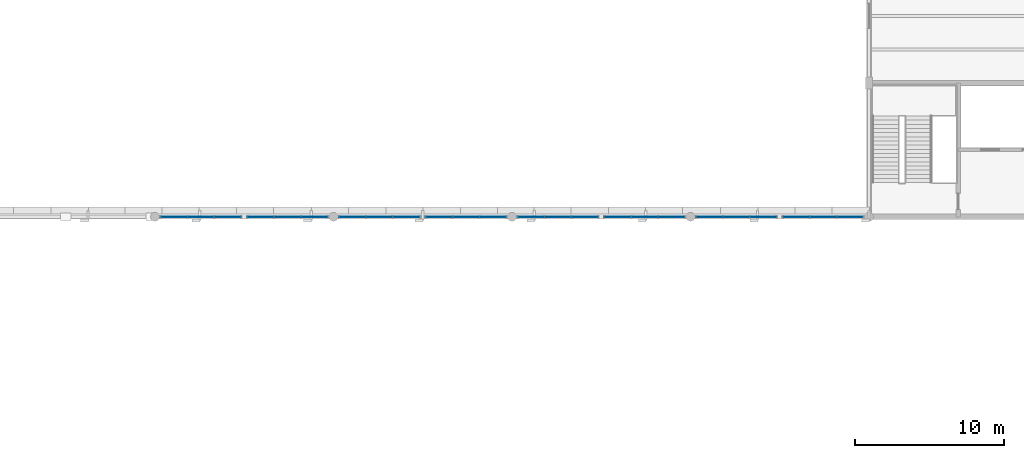
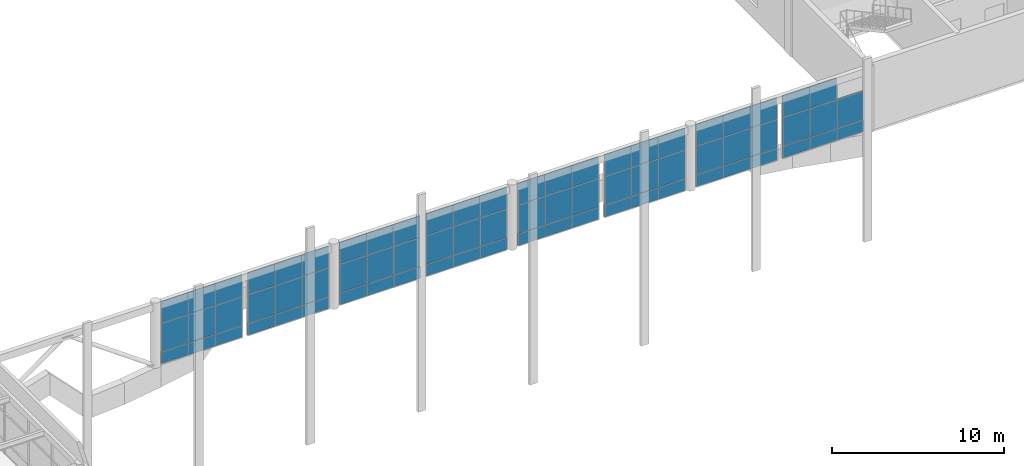
# One storey, part 37 of 63: 71 plates, 8 elements without a shape of their own.
"""IFC4 building model written with IfcOpenShell, lengths in metres."""

from ifc_helpers import new_model, si_unit, direction, frame, origin, origin_2d, place, context, subcontext, project, spatial, rectangle, extrude, material, layer, layer_set, type_object, element, aggregate, save


model = new_model("IFC4")

# Units and contexts
model_context = context("Model", 3, precision=1e-05, world=origin(), true_north=direction((0.0, 1.0)))
body_context = subcontext(model_context, "Body", "Model", "MODEL_VIEW")
ifc_project = project(units=[si_unit("LENGTHUNIT", "METRE"), si_unit("AREAUNIT", "SQUARE_METRE"), si_unit("VOLUMEUNIT", "CUBIC_METRE"), si_unit("PLANEANGLEUNIT", "RADIAN"), si_unit("MASSUNIT", "GRAM", prefix="KILO")], contexts=[model_context])

# Site, building, storey
site_placement = place(None, origin())
site = spatial("IfcSite", under=ifc_project, at=site_placement, CompositionType="ELEMENT")
building_placement = place(site_placement, origin())
building = spatial("IfcBuilding", under=site, at=building_placement, Name="Keelwater Ferry Terminal", CompositionType="ELEMENT")
storey_placement = place(building_placement, frame((0.0, 0.0, 10.199951171875)))
storey = spatial("IfcBuildingStorey", under=building, at=storey_placement, Name="L02", CompositionType="ELEMENT", Elevation=10.199951171875)

# Curtain wall, plates
ifc_material_1 = material(Name="Thermally broken unitised aluminium and triple glass", Category="aluminium")
ifc_layer_1 = layer(ifc_material_1, 0.179931640625)
ifc_layer_set_1 = layer_set([ifc_layer_1], Name="Thermally broken unitised aluminium and triple glass")
curtain_wall_type = type_object("IfcCurtainWallType", Name="CW-07 Unitised Curtain Wall 5430x4450", PredefinedType="USERDEFINED", material=ifc_layer_set_1)
curtain_wall_1_placement = place(storey_placement, origin())
curtain_wall_1 = element("IfcCurtainWall", 1, at=curtain_wall_1_placement, inside=storey, type_object=curtain_wall_type, Name="Unitised Curtain Wall CW-L02-039", ObjectType="UNITISED CURTAIN WALL", PredefinedType="USERDEFINED")
ifc_material_2 = material(Name="Insulated aluminium spandrel", Category="aluminium")
ifc_layer_2 = layer(ifc_material_2, 0.080078125)
ifc_layer_set_2 = layer_set([ifc_layer_2], Name="Insulated aluminium spandrel")
plate_type_1 = type_object("IfcPlateType", Name="CWP-S1 Insulated Spandrel Panel 80", PredefinedType="CURTAIN_PANEL", material=ifc_layer_set_2)
plate_1_placement = place(storey_placement, frame((61.280029296875, 90.0, 0.0), z_axis=(0.0, 0.0, 1.0), x_axis=(1.0, 0.0, 0.0)))
plate_1 = element("IfcPlate", 2, at=plate_1_placement, type_object=plate_type_1, Name="CW-L02-039 Panel 1.1", PredefinedType="CURTAIN_PANEL", context=body_context, shape_type="SweptSolid", body=[
    extrude(rectangle(XDim=1.81005859375, YDim=0.080078125, at=origin_2d()), origin(), (0.0, 0.0, 1.0), 0.85009765625),
])
plate_2_placement = place(storey_placement, frame((63.090087890625, 90.0, 0.0), z_axis=(0.0, 0.0, 1.0), x_axis=(1.0, 0.0, 0.0)))
plate_2 = element("IfcPlate", 3, at=plate_2_placement, type_object=plate_type_1, Name="CW-L02-039 Panel 2.1", PredefinedType="CURTAIN_PANEL", context=body_context, shape_type="SweptSolid", body=[
    extrude(rectangle(XDim=1.81005859375, YDim=0.080078125, at=origin_2d()), origin(), (0.0, 0.0, 1.0), 0.85009765625),
])
plate_3_placement = place(storey_placement, frame((64.89990234375, 90.0, 0.0), z_axis=(0.0, 0.0, 1.0), x_axis=(1.0, 0.0, 0.0)))
plate_3 = element("IfcPlate", 4, at=plate_3_placement, type_object=plate_type_1, Name="CW-L02-039 Panel 3.1", PredefinedType="CURTAIN_PANEL", context=body_context, shape_type="SweptSolid", body=[
    extrude(rectangle(XDim=1.81005859375, YDim=0.080078125, at=origin_2d()), origin(), (0.0, 0.0, 1.0), 0.85009765625),
])

curtain_wall_2_placement = place(storey_placement, origin())
curtain_wall_2 = element("IfcCurtainWall", 5, at=curtain_wall_2_placement, inside=storey, type_object=curtain_wall_type, Name="Unitised Curtain Wall CW-L02-040", ObjectType="UNITISED CURTAIN WALL", PredefinedType="USERDEFINED")
plate_4_placement = place(storey_placement, frame((67.10009765625, 90.0, 0.0), z_axis=(0.0, 0.0, 1.0), x_axis=(1.0, 0.0, 0.0)))
plate_4 = element("IfcPlate", 6, at=plate_4_placement, type_object=plate_type_1, Name="CW-L02-040 Panel 1.1", PredefinedType="CURTAIN_PANEL", context=body_context, shape_type="SweptSolid", body=[
    extrude(rectangle(XDim=1.81005859375, YDim=0.080078125, at=origin_2d()), origin(), (0.0, 0.0, 1.0), 0.85009765625),
])
plate_5_placement = place(storey_placement, frame((68.909912109375, 90.0, 0.0), z_axis=(0.0, 0.0, 1.0), x_axis=(1.0, 0.0, 0.0)))
plate_5 = element("IfcPlate", 7, at=plate_5_placement, type_object=plate_type_1, Name="CW-L02-040 Panel 2.1", PredefinedType="CURTAIN_PANEL", context=body_context, shape_type="SweptSolid", body=[
    extrude(rectangle(XDim=1.81005859375, YDim=0.080078125, at=origin_2d()), origin(), (0.0, 0.0, 1.0), 0.85009765625),
])
plate_6_placement = place(storey_placement, frame((70.719970703125, 90.0, 0.0), z_axis=(0.0, 0.0, 1.0), x_axis=(1.0, 0.0, 0.0)))
plate_6 = element("IfcPlate", 8, at=plate_6_placement, type_object=plate_type_1, Name="CW-L02-040 Panel 3.1", PredefinedType="CURTAIN_PANEL", context=body_context, shape_type="SweptSolid", body=[
    extrude(rectangle(XDim=1.81005859375, YDim=0.080078125, at=origin_2d()), origin(), (0.0, 0.0, 1.0), 0.85009765625),
])

curtain_wall_3_placement = place(storey_placement, origin())
curtain_wall_3 = element("IfcCurtainWall", 9, at=curtain_wall_3_placement, inside=storey, type_object=curtain_wall_type, Name="Unitised Curtain Wall CW-L02-041", ObjectType="UNITISED CURTAIN WALL", PredefinedType="USERDEFINED")
plate_7_placement = place(storey_placement, frame((73.280029296875, 90.0, 0.0), z_axis=(0.0, 0.0, 1.0), x_axis=(1.0, 0.0, 0.0)))
plate_7 = element("IfcPlate", 10, at=plate_7_placement, type_object=plate_type_1, Name="CW-L02-041 Panel 1.1", PredefinedType="CURTAIN_PANEL", context=body_context, shape_type="SweptSolid", body=[
    extrude(rectangle(XDim=1.81005859375, YDim=0.080078125, at=origin_2d()), origin(), (0.0, 0.0, 1.0), 0.85009765625),
])
plate_8_placement = place(storey_placement, frame((75.090087890625, 90.0, 0.0), z_axis=(0.0, 0.0, 1.0), x_axis=(1.0, 0.0, 0.0)))
plate_8 = element("IfcPlate", 11, at=plate_8_placement, type_object=plate_type_1, Name="CW-L02-041 Panel 2.1", PredefinedType="CURTAIN_PANEL", context=body_context, shape_type="SweptSolid", body=[
    extrude(rectangle(XDim=1.81005859375, YDim=0.080078125, at=origin_2d()), origin(), (0.0, 0.0, 1.0), 0.85009765625),
])
plate_9_placement = place(storey_placement, frame((76.89990234375, 90.0, 0.0), z_axis=(0.0, 0.0, 1.0), x_axis=(1.0, 0.0, 0.0)))
plate_9 = element("IfcPlate", 12, at=plate_9_placement, type_object=plate_type_1, Name="CW-L02-041 Panel 3.1", PredefinedType="CURTAIN_PANEL", context=body_context, shape_type="SweptSolid", body=[
    extrude(rectangle(XDim=1.81005859375, YDim=0.080078125, at=origin_2d()), origin(), (0.0, 0.0, 1.0), 0.85009765625),
])

curtain_wall_4_placement = place(storey_placement, origin())
curtain_wall_4 = element("IfcCurtainWall", 13, at=curtain_wall_4_placement, inside=storey, type_object=curtain_wall_type, Name="Unitised Curtain Wall CW-L02-042", ObjectType="UNITISED CURTAIN WALL", PredefinedType="USERDEFINED")
plate_10_placement = place(storey_placement, frame((79.10009765625, 90.0, 0.0), z_axis=(0.0, 0.0, 1.0), x_axis=(1.0, 0.0, 0.0)))
plate_10 = element("IfcPlate", 14, at=plate_10_placement, type_object=plate_type_1, Name="CW-L02-042 Panel 1.1", PredefinedType="CURTAIN_PANEL", context=body_context, shape_type="SweptSolid", body=[
    extrude(rectangle(XDim=1.81005859375, YDim=0.080078125, at=origin_2d()), origin(), (0.0, 0.0, 1.0), 0.85009765625),
])
plate_11_placement = place(storey_placement, frame((80.909912109375, 90.0, 0.0), z_axis=(0.0, 0.0, 1.0), x_axis=(1.0, 0.0, 0.0)))
plate_11 = element("IfcPlate", 15, at=plate_11_placement, type_object=plate_type_1, Name="CW-L02-042 Panel 2.1", PredefinedType="CURTAIN_PANEL", context=body_context, shape_type="SweptSolid", body=[
    extrude(rectangle(XDim=1.81005859375, YDim=0.080078125, at=origin_2d()), origin(), (0.0, 0.0, 1.0), 0.85009765625),
])
plate_12_placement = place(storey_placement, frame((82.719970703125, 90.0, 0.0), z_axis=(0.0, 0.0, 1.0), x_axis=(1.0, 0.0, 0.0)))
plate_12 = element("IfcPlate", 16, at=plate_12_placement, type_object=plate_type_1, Name="CW-L02-042 Panel 3.1", PredefinedType="CURTAIN_PANEL", context=body_context, shape_type="SweptSolid", body=[
    extrude(rectangle(XDim=1.81005859375, YDim=0.080078125, at=origin_2d()), origin(), (0.0, 0.0, 1.0), 0.85009765625),
])

curtain_wall_5_placement = place(storey_placement, origin())
curtain_wall_5 = element("IfcCurtainWall", 17, at=curtain_wall_5_placement, inside=storey, type_object=curtain_wall_type, Name="Unitised Curtain Wall CW-L02-043", ObjectType="UNITISED CURTAIN WALL", PredefinedType="USERDEFINED")
plate_13_placement = place(storey_placement, frame((85.280029296875, 90.0, 0.0), z_axis=(0.0, 0.0, 1.0), x_axis=(1.0, 0.0, 0.0)))
plate_13 = element("IfcPlate", 18, at=plate_13_placement, type_object=plate_type_1, Name="CW-L02-043 Panel 1.1", PredefinedType="CURTAIN_PANEL", context=body_context, shape_type="SweptSolid", body=[
    extrude(rectangle(XDim=1.81005859375, YDim=0.080078125, at=origin_2d()), origin(), (0.0, 0.0, 1.0), 0.85009765625),
])
plate_14_placement = place(storey_placement, frame((87.090087890625, 90.0, 0.0), z_axis=(0.0, 0.0, 1.0), x_axis=(1.0, 0.0, 0.0)))
plate_14 = element("IfcPlate", 19, at=plate_14_placement, type_object=plate_type_1, Name="CW-L02-043 Panel 2.1", PredefinedType="CURTAIN_PANEL", context=body_context, shape_type="SweptSolid", body=[
    extrude(rectangle(XDim=1.81005859375, YDim=0.080078125, at=origin_2d()), origin(), (0.0, 0.0, 1.0), 0.85009765625),
])
plate_15_placement = place(storey_placement, frame((88.89990234375, 90.0, 0.0), z_axis=(0.0, 0.0, 1.0), x_axis=(1.0, 0.0, 0.0)))
plate_15 = element("IfcPlate", 20, at=plate_15_placement, type_object=plate_type_1, Name="CW-L02-043 Panel 3.1", PredefinedType="CURTAIN_PANEL", context=body_context, shape_type="SweptSolid", body=[
    extrude(rectangle(XDim=1.81005859375, YDim=0.080078125, at=origin_2d()), origin(), (0.0, 0.0, 1.0), 0.85009765625),
])

curtain_wall_6_placement = place(storey_placement, origin())
curtain_wall_6 = element("IfcCurtainWall", 21, at=curtain_wall_6_placement, inside=storey, type_object=curtain_wall_type, Name="Unitised Curtain Wall CW-L02-044", ObjectType="UNITISED CURTAIN WALL", PredefinedType="USERDEFINED")
plate_16_placement = place(storey_placement, frame((91.10009765625, 90.0, 0.0), z_axis=(0.0, 0.0, 1.0), x_axis=(1.0, 0.0, 0.0)))
plate_16 = element("IfcPlate", 22, at=plate_16_placement, type_object=plate_type_1, Name="CW-L02-044 Panel 1.1", PredefinedType="CURTAIN_PANEL", context=body_context, shape_type="SweptSolid", body=[
    extrude(rectangle(XDim=1.81005859375, YDim=0.080078125, at=origin_2d()), origin(), (0.0, 0.0, 1.0), 0.85009765625),
])
plate_17_placement = place(storey_placement, frame((92.909912109375, 90.0, 0.0), z_axis=(0.0, 0.0, 1.0), x_axis=(1.0, 0.0, 0.0)))
plate_17 = element("IfcPlate", 23, at=plate_17_placement, type_object=plate_type_1, Name="CW-L02-044 Panel 2.1", PredefinedType="CURTAIN_PANEL", context=body_context, shape_type="SweptSolid", body=[
    extrude(rectangle(XDim=1.81005859375, YDim=0.080078125, at=origin_2d()), origin(), (0.0, 0.0, 1.0), 0.85009765625),
])
plate_18_placement = place(storey_placement, frame((94.719970703125, 90.0, 0.0), z_axis=(0.0, 0.0, 1.0), x_axis=(1.0, 0.0, 0.0)))
plate_18 = element("IfcPlate", 24, at=plate_18_placement, type_object=plate_type_1, Name="CW-L02-044 Panel 3.1", PredefinedType="CURTAIN_PANEL", context=body_context, shape_type="SweptSolid", body=[
    extrude(rectangle(XDim=1.81005859375, YDim=0.080078125, at=origin_2d()), origin(), (0.0, 0.0, 1.0), 0.85009765625),
])

curtain_wall_7_placement = place(storey_placement, origin())
curtain_wall_7 = element("IfcCurtainWall", 25, at=curtain_wall_7_placement, inside=storey, type_object=curtain_wall_type, Name="Unitised Curtain Wall CW-L02-045", ObjectType="UNITISED CURTAIN WALL", PredefinedType="USERDEFINED")
plate_19_placement = place(storey_placement, frame((97.280029296875, 90.0, 0.0), z_axis=(0.0, 0.0, 1.0), x_axis=(1.0, 0.0, 0.0)))
plate_19 = element("IfcPlate", 26, at=plate_19_placement, type_object=plate_type_1, Name="CW-L02-045 Panel 1.1", PredefinedType="CURTAIN_PANEL", context=body_context, shape_type="SweptSolid", body=[
    extrude(rectangle(XDim=1.81005859375, YDim=0.080078125, at=origin_2d()), origin(), (0.0, 0.0, 1.0), 0.85009765625),
])
plate_20_placement = place(storey_placement, frame((99.090087890625, 90.0, 0.0), z_axis=(0.0, 0.0, 1.0), x_axis=(1.0, 0.0, 0.0)))
plate_20 = element("IfcPlate", 27, at=plate_20_placement, type_object=plate_type_1, Name="CW-L02-045 Panel 2.1", PredefinedType="CURTAIN_PANEL", context=body_context, shape_type="SweptSolid", body=[
    extrude(rectangle(XDim=1.81005859375, YDim=0.080078125, at=origin_2d()), origin(), (0.0, 0.0, 1.0), 0.85009765625),
])
plate_21_placement = place(storey_placement, frame((100.89990234375, 90.0, 0.0), z_axis=(0.0, 0.0, 1.0), x_axis=(1.0, 0.0, 0.0)))
plate_21 = element("IfcPlate", 28, at=plate_21_placement, type_object=plate_type_1, Name="CW-L02-045 Panel 3.1", PredefinedType="CURTAIN_PANEL", context=body_context, shape_type="SweptSolid", body=[
    extrude(rectangle(XDim=1.81005859375, YDim=0.080078125, at=origin_2d()), origin(), (0.0, 0.0, 1.0), 0.85009765625),
])

curtain_wall_8_placement = place(storey_placement, origin())
curtain_wall_8 = element("IfcCurtainWall", 29, at=curtain_wall_8_placement, inside=storey, type_object=curtain_wall_type, Name="Unitised Curtain Wall CW-L02-046", ObjectType="UNITISED CURTAIN WALL", PredefinedType="USERDEFINED")
plate_22_placement = place(storey_placement, frame((103.10009765625, 90.0, 0.0), z_axis=(0.0, 0.0, 1.0), x_axis=(1.0, 0.0, 0.0)))
plate_22 = element("IfcPlate", 30, at=plate_22_placement, type_object=plate_type_1, Name="CW-L02-046 Panel 1.1", PredefinedType="CURTAIN_PANEL", context=body_context, shape_type="SweptSolid", body=[
    extrude(rectangle(XDim=1.81005859375, YDim=0.080078125, at=origin_2d()), origin(), (0.0, 0.0, 1.0), 0.85009765625),
])
plate_23_placement = place(storey_placement, frame((104.909912109375, 90.0, 0.0), z_axis=(0.0, 0.0, 1.0), x_axis=(1.0, 0.0, 0.0)))
plate_23 = element("IfcPlate", 31, at=plate_23_placement, type_object=plate_type_1, Name="CW-L02-046 Panel 2.1", PredefinedType="CURTAIN_PANEL", context=body_context, shape_type="SweptSolid", body=[
    extrude(rectangle(XDim=1.81005859375, YDim=0.080078125, at=origin_2d()), origin(), (0.0, 0.0, 1.0), 0.85009765625),
])
plate_24_placement = place(storey_placement, frame((106.719970703125, 90.0, 0.0), z_axis=(0.0, 0.0, 1.0), x_axis=(1.0, 0.0, 0.0)))
plate_24 = element("IfcPlate", 32, at=plate_24_placement, type_object=plate_type_1, Name="CW-L02-046 Panel 3.1", PredefinedType="CURTAIN_PANEL", context=body_context, shape_type="SweptSolid", body=[
    extrude(rectangle(XDim=1.81005859375, YDim=0.080078125, at=origin_2d()), origin(), (0.0, 0.0, 1.0), 0.85009765625),
])

# Plate
ifc_material_3 = material(Name="Triple low-E laminated glass", Category="glass")
ifc_layer_3 = layer(ifc_material_3, 0.035888671875)
ifc_layer_set_3 = layer_set([ifc_layer_3], Name="Triple low-E laminated glass")
plate_type_2 = type_object("IfcPlateType", Name="CWP-V1 Glazed Vision Panel 36", PredefinedType="CURTAIN_PANEL", material=ifc_layer_set_3)
plate_25_placement = place(storey_placement, frame((61.280029296875, 90.0, 0.85009765625), z_axis=(0.0, 0.0, 1.0), x_axis=(1.0, 0.0, 0.0)))
plate_25 = element("IfcPlate", 33, at=plate_25_placement, type_object=plate_type_2, Name="CW-L02-039 Panel 1.2", PredefinedType="CURTAIN_PANEL", context=body_context, shape_type="SweptSolid", body=[
    extrude(rectangle(XDim=1.81005859375, YDim=0.035888671875, at=origin_2d()), origin(), (0.0, 0.0, 1.0), 2.050048828125),
])

plate_26_placement = place(storey_placement, frame((61.280029296875, 90.0, 2.89990234375), z_axis=(0.0, 0.0, 1.0), x_axis=(1.0, 0.0, 0.0)))
plate_26 = element("IfcPlate", 34, at=plate_26_placement, type_object=plate_type_2, Name="CW-L02-039 Panel 1.3", PredefinedType="CURTAIN_PANEL", context=body_context, shape_type="SweptSolid", body=[
    extrude(rectangle(XDim=1.81005859375, YDim=0.035888671875, at=origin_2d()), origin(), (0.0, 0.0, 1.0), 1.550048828125),
])

plate_27_placement = place(storey_placement, frame((63.090087890625, 90.0, 0.85009765625), z_axis=(0.0, 0.0, 1.0), x_axis=(1.0, 0.0, 0.0)))
plate_27 = element("IfcPlate", 35, at=plate_27_placement, type_object=plate_type_2, Name="CW-L02-039 Panel 2.2", PredefinedType="CURTAIN_PANEL", context=body_context, shape_type="SweptSolid", body=[
    extrude(rectangle(XDim=1.81005859375, YDim=0.035888671875, at=origin_2d()), origin(), (0.0, 0.0, 1.0), 2.050048828125),
])

plate_28_placement = place(storey_placement, frame((63.090087890625, 90.0, 2.89990234375), z_axis=(0.0, 0.0, 1.0), x_axis=(1.0, 0.0, 0.0)))
plate_28 = element("IfcPlate", 36, at=plate_28_placement, type_object=plate_type_2, Name="CW-L02-039 Panel 2.3", PredefinedType="CURTAIN_PANEL", context=body_context, shape_type="SweptSolid", body=[
    extrude(rectangle(XDim=1.81005859375, YDim=0.035888671875, at=origin_2d()), origin(), (0.0, 0.0, 1.0), 1.550048828125),
])

plate_29_placement = place(storey_placement, frame((64.89990234375, 90.0, 0.85009765625), z_axis=(0.0, 0.0, 1.0), x_axis=(1.0, 0.0, 0.0)))
plate_29 = element("IfcPlate", 37, at=plate_29_placement, type_object=plate_type_2, Name="CW-L02-039 Panel 3.2", PredefinedType="CURTAIN_PANEL", context=body_context, shape_type="SweptSolid", body=[
    extrude(rectangle(XDim=1.81005859375, YDim=0.035888671875, at=origin_2d()), origin(), (0.0, 0.0, 1.0), 2.050048828125),
])

plate_30_placement = place(storey_placement, frame((64.89990234375, 90.0, 2.89990234375), z_axis=(0.0, 0.0, 1.0), x_axis=(1.0, 0.0, 0.0)))
plate_30 = element("IfcPlate", 38, at=plate_30_placement, type_object=plate_type_2, Name="CW-L02-039 Panel 3.3", PredefinedType="CURTAIN_PANEL", context=body_context, shape_type="SweptSolid", body=[
    extrude(rectangle(XDim=1.81005859375, YDim=0.035888671875, at=origin_2d()), origin(), (0.0, 0.0, 1.0), 1.550048828125),
])

aggregate(curtain_wall_1, [plate_1, plate_25, plate_26, plate_2, plate_27, plate_28, plate_3, plate_29, plate_30])

plate_31_placement = place(storey_placement, frame((67.10009765625, 90.0, 0.85009765625), z_axis=(0.0, 0.0, 1.0), x_axis=(1.0, 0.0, 0.0)))
plate_31 = element("IfcPlate", 39, at=plate_31_placement, type_object=plate_type_2, Name="CW-L02-040 Panel 1.2", PredefinedType="CURTAIN_PANEL", context=body_context, shape_type="SweptSolid", body=[
    extrude(rectangle(XDim=1.81005859375, YDim=0.035888671875, at=origin_2d()), origin(), (0.0, 0.0, 1.0), 2.050048828125),
])

plate_32_placement = place(storey_placement, frame((67.10009765625, 90.0, 2.89990234375), z_axis=(0.0, 0.0, 1.0), x_axis=(1.0, 0.0, 0.0)))
plate_32 = element("IfcPlate", 40, at=plate_32_placement, type_object=plate_type_2, Name="CW-L02-040 Panel 1.3", PredefinedType="CURTAIN_PANEL", context=body_context, shape_type="SweptSolid", body=[
    extrude(rectangle(XDim=1.81005859375, YDim=0.035888671875, at=origin_2d()), origin(), (0.0, 0.0, 1.0), 1.550048828125),
])

plate_33_placement = place(storey_placement, frame((68.909912109375, 90.0, 0.85009765625), z_axis=(0.0, 0.0, 1.0), x_axis=(1.0, 0.0, 0.0)))
plate_33 = element("IfcPlate", 41, at=plate_33_placement, type_object=plate_type_2, Name="CW-L02-040 Panel 2.2", PredefinedType="CURTAIN_PANEL", context=body_context, shape_type="SweptSolid", body=[
    extrude(rectangle(XDim=1.81005859375, YDim=0.035888671875, at=origin_2d()), origin(), (0.0, 0.0, 1.0), 2.050048828125),
])

plate_34_placement = place(storey_placement, frame((68.909912109375, 90.0, 2.89990234375), z_axis=(0.0, 0.0, 1.0), x_axis=(1.0, 0.0, 0.0)))
plate_34 = element("IfcPlate", 42, at=plate_34_placement, type_object=plate_type_2, Name="CW-L02-040 Panel 2.3", PredefinedType="CURTAIN_PANEL", context=body_context, shape_type="SweptSolid", body=[
    extrude(rectangle(XDim=1.81005859375, YDim=0.035888671875, at=origin_2d()), origin(), (0.0, 0.0, 1.0), 1.550048828125),
])

plate_35_placement = place(storey_placement, frame((70.719970703125, 90.0, 0.85009765625), z_axis=(0.0, 0.0, 1.0), x_axis=(1.0, 0.0, 0.0)))
plate_35 = element("IfcPlate", 43, at=plate_35_placement, type_object=plate_type_2, Name="CW-L02-040 Panel 3.2", PredefinedType="CURTAIN_PANEL", context=body_context, shape_type="SweptSolid", body=[
    extrude(rectangle(XDim=1.81005859375, YDim=0.035888671875, at=origin_2d()), origin(), (0.0, 0.0, 1.0), 2.050048828125),
])

plate_36_placement = place(storey_placement, frame((70.719970703125, 90.0, 2.89990234375), z_axis=(0.0, 0.0, 1.0), x_axis=(1.0, 0.0, 0.0)))
plate_36 = element("IfcPlate", 44, at=plate_36_placement, type_object=plate_type_2, Name="CW-L02-040 Panel 3.3", PredefinedType="CURTAIN_PANEL", context=body_context, shape_type="SweptSolid", body=[
    extrude(rectangle(XDim=1.81005859375, YDim=0.035888671875, at=origin_2d()), origin(), (0.0, 0.0, 1.0), 1.550048828125),
])

aggregate(curtain_wall_2, [plate_4, plate_31, plate_32, plate_5, plate_33, plate_34, plate_6, plate_35, plate_36])

plate_37_placement = place(storey_placement, frame((73.280029296875, 90.0, 0.85009765625), z_axis=(0.0, 0.0, 1.0), x_axis=(1.0, 0.0, 0.0)))
plate_37 = element("IfcPlate", 45, at=plate_37_placement, type_object=plate_type_2, Name="CW-L02-041 Panel 1.2", PredefinedType="CURTAIN_PANEL", context=body_context, shape_type="SweptSolid", body=[
    extrude(rectangle(XDim=1.81005859375, YDim=0.035888671875, at=origin_2d()), origin(), (0.0, 0.0, 1.0), 2.050048828125),
])

plate_38_placement = place(storey_placement, frame((73.280029296875, 90.0, 2.89990234375), z_axis=(0.0, 0.0, 1.0), x_axis=(1.0, 0.0, 0.0)))
plate_38 = element("IfcPlate", 46, at=plate_38_placement, type_object=plate_type_2, Name="CW-L02-041 Panel 1.3", PredefinedType="CURTAIN_PANEL", context=body_context, shape_type="SweptSolid", body=[
    extrude(rectangle(XDim=1.81005859375, YDim=0.035888671875, at=origin_2d()), origin(), (0.0, 0.0, 1.0), 1.550048828125),
])

plate_39_placement = place(storey_placement, frame((75.090087890625, 90.0, 0.85009765625), z_axis=(0.0, 0.0, 1.0), x_axis=(1.0, 0.0, 0.0)))
plate_39 = element("IfcPlate", 47, at=plate_39_placement, type_object=plate_type_2, Name="CW-L02-041 Panel 2.2", PredefinedType="CURTAIN_PANEL", context=body_context, shape_type="SweptSolid", body=[
    extrude(rectangle(XDim=1.81005859375, YDim=0.035888671875, at=origin_2d()), origin(), (0.0, 0.0, 1.0), 2.050048828125),
])

plate_40_placement = place(storey_placement, frame((75.090087890625, 90.0, 2.89990234375), z_axis=(0.0, 0.0, 1.0), x_axis=(1.0, 0.0, 0.0)))
plate_40 = element("IfcPlate", 48, at=plate_40_placement, type_object=plate_type_2, Name="CW-L02-041 Panel 2.3", PredefinedType="CURTAIN_PANEL", context=body_context, shape_type="SweptSolid", body=[
    extrude(rectangle(XDim=1.81005859375, YDim=0.035888671875, at=origin_2d()), origin(), (0.0, 0.0, 1.0), 1.550048828125),
])

plate_41_placement = place(storey_placement, frame((76.89990234375, 90.0, 0.85009765625), z_axis=(0.0, 0.0, 1.0), x_axis=(1.0, 0.0, 0.0)))
plate_41 = element("IfcPlate", 49, at=plate_41_placement, type_object=plate_type_2, Name="CW-L02-041 Panel 3.2", PredefinedType="CURTAIN_PANEL", context=body_context, shape_type="SweptSolid", body=[
    extrude(rectangle(XDim=1.81005859375, YDim=0.035888671875, at=origin_2d()), origin(), (0.0, 0.0, 1.0), 2.050048828125),
])

plate_42_placement = place(storey_placement, frame((76.89990234375, 90.0, 2.89990234375), z_axis=(0.0, 0.0, 1.0), x_axis=(1.0, 0.0, 0.0)))
plate_42 = element("IfcPlate", 50, at=plate_42_placement, type_object=plate_type_2, Name="CW-L02-041 Panel 3.3", PredefinedType="CURTAIN_PANEL", context=body_context, shape_type="SweptSolid", body=[
    extrude(rectangle(XDim=1.81005859375, YDim=0.035888671875, at=origin_2d()), origin(), (0.0, 0.0, 1.0), 1.550048828125),
])

aggregate(curtain_wall_3, [plate_7, plate_37, plate_38, plate_8, plate_39, plate_40, plate_9, plate_41, plate_42])

plate_43_placement = place(storey_placement, frame((79.10009765625, 90.0, 0.85009765625), z_axis=(0.0, 0.0, 1.0), x_axis=(1.0, 0.0, 0.0)))
plate_43 = element("IfcPlate", 51, at=plate_43_placement, type_object=plate_type_2, Name="CW-L02-042 Panel 1.2", PredefinedType="CURTAIN_PANEL", context=body_context, shape_type="SweptSolid", body=[
    extrude(rectangle(XDim=1.81005859375, YDim=0.035888671875, at=origin_2d()), origin(), (0.0, 0.0, 1.0), 2.050048828125),
])

plate_44_placement = place(storey_placement, frame((79.10009765625, 90.0, 2.89990234375), z_axis=(0.0, 0.0, 1.0), x_axis=(1.0, 0.0, 0.0)))
plate_44 = element("IfcPlate", 52, at=plate_44_placement, type_object=plate_type_2, Name="CW-L02-042 Panel 1.3", PredefinedType="CURTAIN_PANEL", context=body_context, shape_type="SweptSolid", body=[
    extrude(rectangle(XDim=1.81005859375, YDim=0.035888671875, at=origin_2d()), origin(), (0.0, 0.0, 1.0), 1.550048828125),
])

plate_45_placement = place(storey_placement, frame((80.909912109375, 90.0, 0.85009765625), z_axis=(0.0, 0.0, 1.0), x_axis=(1.0, 0.0, 0.0)))
plate_45 = element("IfcPlate", 53, at=plate_45_placement, type_object=plate_type_2, Name="CW-L02-042 Panel 2.2", PredefinedType="CURTAIN_PANEL", context=body_context, shape_type="SweptSolid", body=[
    extrude(rectangle(XDim=1.81005859375, YDim=0.035888671875, at=origin_2d()), origin(), (0.0, 0.0, 1.0), 2.050048828125),
])

plate_46_placement = place(storey_placement, frame((80.909912109375, 90.0, 2.89990234375), z_axis=(0.0, 0.0, 1.0), x_axis=(1.0, 0.0, 0.0)))
plate_46 = element("IfcPlate", 54, at=plate_46_placement, type_object=plate_type_2, Name="CW-L02-042 Panel 2.3", PredefinedType="CURTAIN_PANEL", context=body_context, shape_type="SweptSolid", body=[
    extrude(rectangle(XDim=1.81005859375, YDim=0.035888671875, at=origin_2d()), origin(), (0.0, 0.0, 1.0), 1.550048828125),
])

plate_47_placement = place(storey_placement, frame((82.719970703125, 90.0, 0.85009765625), z_axis=(0.0, 0.0, 1.0), x_axis=(1.0, 0.0, 0.0)))
plate_47 = element("IfcPlate", 55, at=plate_47_placement, type_object=plate_type_2, Name="CW-L02-042 Panel 3.2", PredefinedType="CURTAIN_PANEL", context=body_context, shape_type="SweptSolid", body=[
    extrude(rectangle(XDim=1.81005859375, YDim=0.035888671875, at=origin_2d()), origin(), (0.0, 0.0, 1.0), 2.050048828125),
])

plate_48_placement = place(storey_placement, frame((82.719970703125, 90.0, 2.89990234375), z_axis=(0.0, 0.0, 1.0), x_axis=(1.0, 0.0, 0.0)))
plate_48 = element("IfcPlate", 56, at=plate_48_placement, type_object=plate_type_2, Name="CW-L02-042 Panel 3.3", PredefinedType="CURTAIN_PANEL", context=body_context, shape_type="SweptSolid", body=[
    extrude(rectangle(XDim=1.81005859375, YDim=0.035888671875, at=origin_2d()), origin(), (0.0, 0.0, 1.0), 1.550048828125),
])

aggregate(curtain_wall_4, [plate_10, plate_43, plate_44, plate_11, plate_45, plate_46, plate_12, plate_47, plate_48])

plate_49_placement = place(storey_placement, frame((85.280029296875, 90.0, 0.85009765625), z_axis=(0.0, 0.0, 1.0), x_axis=(1.0, 0.0, 0.0)))
plate_49 = element("IfcPlate", 57, at=plate_49_placement, type_object=plate_type_2, Name="CW-L02-043 Panel 1.2", PredefinedType="CURTAIN_PANEL", context=body_context, shape_type="SweptSolid", body=[
    extrude(rectangle(XDim=1.81005859375, YDim=0.035888671875, at=origin_2d()), origin(), (0.0, 0.0, 1.0), 2.050048828125),
])

plate_50_placement = place(storey_placement, frame((85.280029296875, 90.0, 2.89990234375), z_axis=(0.0, 0.0, 1.0), x_axis=(1.0, 0.0, 0.0)))
plate_50 = element("IfcPlate", 58, at=plate_50_placement, type_object=plate_type_2, Name="CW-L02-043 Panel 1.3", PredefinedType="CURTAIN_PANEL", context=body_context, shape_type="SweptSolid", body=[
    extrude(rectangle(XDim=1.81005859375, YDim=0.035888671875, at=origin_2d()), origin(), (0.0, 0.0, 1.0), 1.550048828125),
])

plate_51_placement = place(storey_placement, frame((87.090087890625, 90.0, 0.85009765625), z_axis=(0.0, 0.0, 1.0), x_axis=(1.0, 0.0, 0.0)))
plate_51 = element("IfcPlate", 59, at=plate_51_placement, type_object=plate_type_2, Name="CW-L02-043 Panel 2.2", PredefinedType="CURTAIN_PANEL", context=body_context, shape_type="SweptSolid", body=[
    extrude(rectangle(XDim=1.81005859375, YDim=0.035888671875, at=origin_2d()), origin(), (0.0, 0.0, 1.0), 2.050048828125),
])

plate_52_placement = place(storey_placement, frame((87.090087890625, 90.0, 2.89990234375), z_axis=(0.0, 0.0, 1.0), x_axis=(1.0, 0.0, 0.0)))
plate_52 = element("IfcPlate", 60, at=plate_52_placement, type_object=plate_type_2, Name="CW-L02-043 Panel 2.3", PredefinedType="CURTAIN_PANEL", context=body_context, shape_type="SweptSolid", body=[
    extrude(rectangle(XDim=1.81005859375, YDim=0.035888671875, at=origin_2d()), origin(), (0.0, 0.0, 1.0), 1.550048828125),
])

plate_53_placement = place(storey_placement, frame((88.89990234375, 90.0, 0.85009765625), z_axis=(0.0, 0.0, 1.0), x_axis=(1.0, 0.0, 0.0)))
plate_53 = element("IfcPlate", 61, at=plate_53_placement, type_object=plate_type_2, Name="CW-L02-043 Panel 3.2", PredefinedType="CURTAIN_PANEL", context=body_context, shape_type="SweptSolid", body=[
    extrude(rectangle(XDim=1.81005859375, YDim=0.035888671875, at=origin_2d()), origin(), (0.0, 0.0, 1.0), 2.050048828125),
])

plate_54_placement = place(storey_placement, frame((88.89990234375, 90.0, 2.89990234375), z_axis=(0.0, 0.0, 1.0), x_axis=(1.0, 0.0, 0.0)))
plate_54 = element("IfcPlate", 62, at=plate_54_placement, type_object=plate_type_2, Name="CW-L02-043 Panel 3.3", PredefinedType="CURTAIN_PANEL", context=body_context, shape_type="SweptSolid", body=[
    extrude(rectangle(XDim=1.81005859375, YDim=0.035888671875, at=origin_2d()), origin(), (0.0, 0.0, 1.0), 1.550048828125),
])

aggregate(curtain_wall_5, [plate_13, plate_49, plate_50, plate_14, plate_51, plate_52, plate_15, plate_53, plate_54])

plate_55_placement = place(storey_placement, frame((91.10009765625, 90.0, 0.85009765625), z_axis=(0.0, 0.0, 1.0), x_axis=(1.0, 0.0, 0.0)))
plate_55 = element("IfcPlate", 63, at=plate_55_placement, type_object=plate_type_2, Name="CW-L02-044 Panel 1.2", PredefinedType="CURTAIN_PANEL", context=body_context, shape_type="SweptSolid", body=[
    extrude(rectangle(XDim=1.81005859375, YDim=0.035888671875, at=origin_2d()), origin(), (0.0, 0.0, 1.0), 2.050048828125),
])

plate_56_placement = place(storey_placement, frame((91.10009765625, 90.0, 2.89990234375), z_axis=(0.0, 0.0, 1.0), x_axis=(1.0, 0.0, 0.0)))
plate_56 = element("IfcPlate", 64, at=plate_56_placement, type_object=plate_type_2, Name="CW-L02-044 Panel 1.3", PredefinedType="CURTAIN_PANEL", context=body_context, shape_type="SweptSolid", body=[
    extrude(rectangle(XDim=1.81005859375, YDim=0.035888671875, at=origin_2d()), origin(), (0.0, 0.0, 1.0), 1.550048828125),
])

plate_57_placement = place(storey_placement, frame((92.909912109375, 90.0, 0.85009765625), z_axis=(0.0, 0.0, 1.0), x_axis=(1.0, 0.0, 0.0)))
plate_57 = element("IfcPlate", 65, at=plate_57_placement, type_object=plate_type_2, Name="CW-L02-044 Panel 2.2", PredefinedType="CURTAIN_PANEL", context=body_context, shape_type="SweptSolid", body=[
    extrude(rectangle(XDim=1.81005859375, YDim=0.035888671875, at=origin_2d()), origin(), (0.0, 0.0, 1.0), 2.050048828125),
])

plate_58_placement = place(storey_placement, frame((92.909912109375, 90.0, 2.89990234375), z_axis=(0.0, 0.0, 1.0), x_axis=(1.0, 0.0, 0.0)))
plate_58 = element("IfcPlate", 66, at=plate_58_placement, type_object=plate_type_2, Name="CW-L02-044 Panel 2.3", PredefinedType="CURTAIN_PANEL", context=body_context, shape_type="SweptSolid", body=[
    extrude(rectangle(XDim=1.81005859375, YDim=0.035888671875, at=origin_2d()), origin(), (0.0, 0.0, 1.0), 1.550048828125),
])

plate_59_placement = place(storey_placement, frame((94.719970703125, 90.0, 0.85009765625), z_axis=(0.0, 0.0, 1.0), x_axis=(1.0, 0.0, 0.0)))
plate_59 = element("IfcPlate", 67, at=plate_59_placement, type_object=plate_type_2, Name="CW-L02-044 Panel 3.2", PredefinedType="CURTAIN_PANEL", context=body_context, shape_type="SweptSolid", body=[
    extrude(rectangle(XDim=1.81005859375, YDim=0.035888671875, at=origin_2d()), origin(), (0.0, 0.0, 1.0), 2.050048828125),
])

plate_60_placement = place(storey_placement, frame((94.719970703125, 90.0, 2.89990234375), z_axis=(0.0, 0.0, 1.0), x_axis=(1.0, 0.0, 0.0)))
plate_60 = element("IfcPlate", 68, at=plate_60_placement, type_object=plate_type_2, Name="CW-L02-044 Panel 3.3", PredefinedType="CURTAIN_PANEL", context=body_context, shape_type="SweptSolid", body=[
    extrude(rectangle(XDim=1.81005859375, YDim=0.035888671875, at=origin_2d()), origin(), (0.0, 0.0, 1.0), 1.550048828125),
])

aggregate(curtain_wall_6, [plate_16, plate_55, plate_56, plate_17, plate_57, plate_58, plate_18, plate_59, plate_60])

plate_61_placement = place(storey_placement, frame((97.280029296875, 90.0, 0.85009765625), z_axis=(0.0, 0.0, 1.0), x_axis=(1.0, 0.0, 0.0)))
plate_61 = element("IfcPlate", 69, at=plate_61_placement, type_object=plate_type_2, Name="CW-L02-045 Panel 1.2", PredefinedType="CURTAIN_PANEL", context=body_context, shape_type="SweptSolid", body=[
    extrude(rectangle(XDim=1.81005859375, YDim=0.035888671875, at=origin_2d()), origin(), (0.0, 0.0, 1.0), 2.050048828125),
])

plate_62_placement = place(storey_placement, frame((97.280029296875, 90.0, 2.89990234375), z_axis=(0.0, 0.0, 1.0), x_axis=(1.0, 0.0, 0.0)))
plate_62 = element("IfcPlate", 70, at=plate_62_placement, type_object=plate_type_2, Name="CW-L02-045 Panel 1.3", PredefinedType="CURTAIN_PANEL", context=body_context, shape_type="SweptSolid", body=[
    extrude(rectangle(XDim=1.81005859375, YDim=0.035888671875, at=origin_2d()), origin(), (0.0, 0.0, 1.0), 1.550048828125),
])

plate_63_placement = place(storey_placement, frame((99.090087890625, 90.0, 0.85009765625), z_axis=(0.0, 0.0, 1.0), x_axis=(1.0, 0.0, 0.0)))
plate_63 = element("IfcPlate", 71, at=plate_63_placement, type_object=plate_type_2, Name="CW-L02-045 Panel 2.2", PredefinedType="CURTAIN_PANEL", context=body_context, shape_type="SweptSolid", body=[
    extrude(rectangle(XDim=1.81005859375, YDim=0.035888671875, at=origin_2d()), origin(), (0.0, 0.0, 1.0), 2.050048828125),
])

plate_64_placement = place(storey_placement, frame((99.090087890625, 90.0, 2.89990234375), z_axis=(0.0, 0.0, 1.0), x_axis=(1.0, 0.0, 0.0)))
plate_64 = element("IfcPlate", 72, at=plate_64_placement, type_object=plate_type_2, Name="CW-L02-045 Panel 2.3", PredefinedType="CURTAIN_PANEL", context=body_context, shape_type="SweptSolid", body=[
    extrude(rectangle(XDim=1.81005859375, YDim=0.035888671875, at=origin_2d()), origin(), (0.0, 0.0, 1.0), 1.550048828125),
])

plate_65_placement = place(storey_placement, frame((100.89990234375, 90.0, 0.85009765625), z_axis=(0.0, 0.0, 1.0), x_axis=(1.0, 0.0, 0.0)))
plate_65 = element("IfcPlate", 73, at=plate_65_placement, type_object=plate_type_2, Name="CW-L02-045 Panel 3.2", PredefinedType="CURTAIN_PANEL", context=body_context, shape_type="SweptSolid", body=[
    extrude(rectangle(XDim=1.81005859375, YDim=0.035888671875, at=origin_2d()), origin(), (0.0, 0.0, 1.0), 2.050048828125),
])

plate_66_placement = place(storey_placement, frame((100.89990234375, 90.0, 2.89990234375), z_axis=(0.0, 0.0, 1.0), x_axis=(1.0, 0.0, 0.0)))
plate_66 = element("IfcPlate", 74, at=plate_66_placement, type_object=plate_type_2, Name="CW-L02-045 Panel 3.3", PredefinedType="CURTAIN_PANEL", context=body_context, shape_type="SweptSolid", body=[
    extrude(rectangle(XDim=1.81005859375, YDim=0.035888671875, at=origin_2d()), origin(), (0.0, 0.0, 1.0), 1.550048828125),
])

aggregate(curtain_wall_7, [plate_19, plate_61, plate_62, plate_20, plate_63, plate_64, plate_21, plate_65, plate_66])

plate_67_placement = place(storey_placement, frame((103.10009765625, 90.0, 0.85009765625), z_axis=(0.0, 0.0, 1.0), x_axis=(1.0, 0.0, 0.0)))
plate_67 = element("IfcPlate", 75, at=plate_67_placement, type_object=plate_type_2, Name="CW-L02-046 Panel 1.2", PredefinedType="CURTAIN_PANEL", context=body_context, shape_type="SweptSolid", body=[
    extrude(rectangle(XDim=1.81005859375, YDim=0.035888671875, at=origin_2d()), origin(), (0.0, 0.0, 1.0), 2.050048828125),
])

plate_68_placement = place(storey_placement, frame((103.10009765625, 90.0, 2.89990234375), z_axis=(0.0, 0.0, 1.0), x_axis=(1.0, 0.0, 0.0)))
plate_68 = element("IfcPlate", 76, at=plate_68_placement, type_object=plate_type_2, Name="CW-L02-046 Panel 1.3", PredefinedType="CURTAIN_PANEL", context=body_context, shape_type="SweptSolid", body=[
    extrude(rectangle(XDim=1.81005859375, YDim=0.035888671875, at=origin_2d()), origin(), (0.0, 0.0, 1.0), 1.550048828125),
])

plate_69_placement = place(storey_placement, frame((104.909912109375, 90.0, 0.85009765625), z_axis=(0.0, 0.0, 1.0), x_axis=(1.0, 0.0, 0.0)))
plate_69 = element("IfcPlate", 77, at=plate_69_placement, type_object=plate_type_2, Name="CW-L02-046 Panel 2.2", PredefinedType="CURTAIN_PANEL", context=body_context, shape_type="SweptSolid", body=[
    extrude(rectangle(XDim=1.81005859375, YDim=0.035888671875, at=origin_2d()), origin(), (0.0, 0.0, 1.0), 2.050048828125),
])

plate_70_placement = place(storey_placement, frame((104.909912109375, 90.0, 2.89990234375), z_axis=(0.0, 0.0, 1.0), x_axis=(1.0, 0.0, 0.0)))
plate_70 = element("IfcPlate", 78, at=plate_70_placement, type_object=plate_type_2, Name="CW-L02-046 Panel 2.3", PredefinedType="CURTAIN_PANEL", context=body_context, shape_type="SweptSolid", body=[
    extrude(rectangle(XDim=1.81005859375, YDim=0.035888671875, at=origin_2d()), origin(), (0.0, 0.0, 1.0), 1.550048828125),
])

plate_71_placement = place(storey_placement, frame((106.719970703125, 90.0, 0.85009765625), z_axis=(0.0, 0.0, 1.0), x_axis=(1.0, 0.0, 0.0)))
plate_71 = element("IfcPlate", 79, at=plate_71_placement, type_object=plate_type_2, Name="CW-L02-046 Panel 3.2", PredefinedType="CURTAIN_PANEL", context=body_context, shape_type="SweptSolid", body=[
    extrude(rectangle(XDim=1.81005859375, YDim=0.035888671875, at=origin_2d()), origin(), (0.0, 0.0, 1.0), 2.050048828125),
])

aggregate(curtain_wall_8, [plate_22, plate_67, plate_68, plate_23, plate_69, plate_70, plate_24, plate_71])

save(model, "model.ifc")
